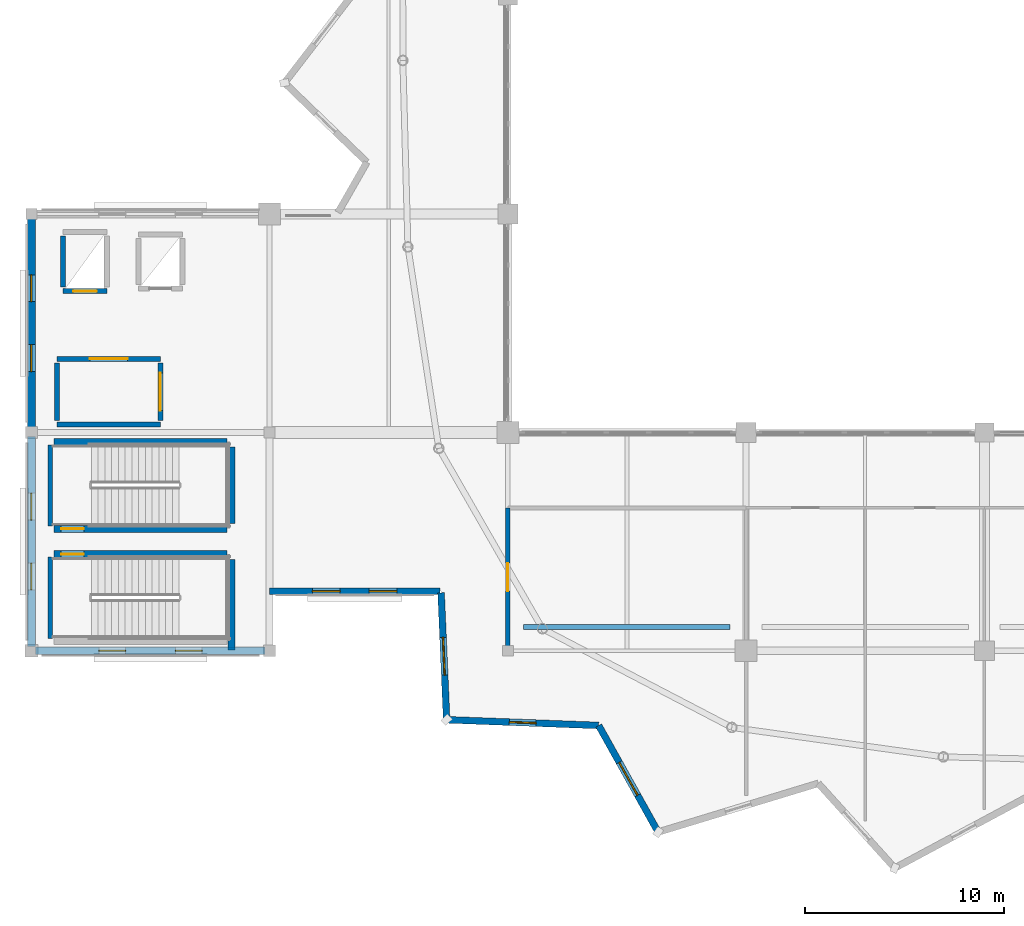
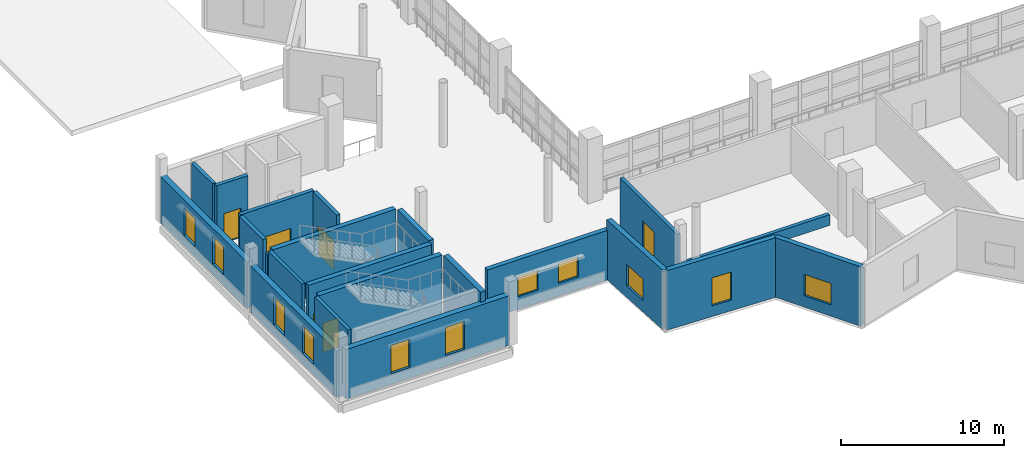
# One storey, part 35 of 53: 22 walls, 11 windows, 6 doors, 17 openings.
"""IFC4 building model written with IfcOpenShell, lengths in metres."""

from ifc_helpers import new_model, si_unit, direction, frame, frame_2d, origin, place, context, subcontext, project, spatial, rectangle, extrude, material, layer, layer_set, type_object, element, fill, save


model = new_model("IFC4")

# Units and contexts
model_context = context("Model", 3, precision=1e-05, world=origin(), true_north=direction((0.0, 1.0)))
body_context = subcontext(model_context, "Body", "Model", "MODEL_VIEW")
ifc_project = project(units=[si_unit("LENGTHUNIT", "METRE"), si_unit("AREAUNIT", "SQUARE_METRE"), si_unit("VOLUMEUNIT", "CUBIC_METRE"), si_unit("PLANEANGLEUNIT", "RADIAN"), si_unit("MASSUNIT", "GRAM", prefix="KILO")], contexts=[model_context])

# Site, building, storey
site_placement = place(None, origin())
site = spatial("IfcSite", under=ifc_project, at=site_placement, CompositionType="ELEMENT")
building_placement = place(site_placement, origin())
building = spatial("IfcBuilding", under=site, at=building_placement, Name="Luwafu Chhajja Arena", CompositionType="ELEMENT")
storey_placement = place(building_placement, frame((0.0, 0.0, 19.5)))
storey = spatial("IfcBuildingStorey", under=building, at=storey_placement, Name="L04", CompositionType="ELEMENT", Elevation=19.5)

# Wall, opening, door
ifc_material_1 = material(Name="Concrete blockwork masonry", Category="masonry")
ifc_layer_1 = layer(ifc_material_1, 0.239990234375, Name="Concrete blockwork masonry")
ifc_layer_set_1 = layer_set([ifc_layer_1], Name="Concrete blockwork masonry")
wall_type_1 = type_object("IfcWallType", Name="Compartment Masonry Partition 240", PredefinedType="PARTITIONING", material=ifc_layer_set_1)
wall_1_placement = place(storey_placement, frame((58.0, 11.219970703125, 0.0), z_axis=(0.0, 0.0, 1.0), x_axis=(0.0, 1.0, 0.0)))
wall_1 = element("IfcWall", 1, at=wall_1_placement, inside=storey, type_object=wall_type_1, Name="L04 Internal Partition 0302", PredefinedType="PARTITIONING", context=body_context, shape_type="SweptSolid", body=[
    extrude(rectangle(XDim=6.97998046875, YDim=0.239990234375, at=frame_2d((3.489990234375, 0.0))), origin(), (0.0, 0.0, 1.0), 3.7900390625),
])
opening_1_placement = place(wall_1_placement, frame((2.780029296875, 0.0, 0.0)))
opening_1 = element("IfcOpeningElement", 2, at=opening_1_placement, cuts=wall_1, Name="Opening DR-12", PredefinedType="OPENING", context=body_context, shape_type="SweptSolid", body=[
    extrude(rectangle(XDim=1.419921875, YDim=2.25, at=frame_2d((0.7099609375, 1.125))), frame((0.0, 0.1298828125, 0.0), z_axis=(0.0, -1.0, 0.0), x_axis=(1.0, 0.0, 0.0)), (0.0, 0.0, 1.0), 0.260009765625),
])
ifc_material_2 = material(Name="Powder-coated steel fire leaf", Category="steel")
door_type_1 = type_object("IfcDoorType", Name="DR-12", OperationType="NOTDEFINED", PredefinedType="DOOR", material=ifc_material_2)
door_1_placement = place(opening_1_placement, origin())
door_1 = element("IfcDoor", 3, at=door_1_placement, inside=storey, type_object=door_type_1, Name="L04 Interior Door L04-D017", OperationType="SINGLE_SWING_LEFT", OverallHeight=2.25, OverallWidth=1.419921875, PredefinedType="DOOR", context=body_context, shape_type="SweptSolid", body=[
    extrude(rectangle(XDim=1.419921875, YDim=2.25, at=frame_2d((0.7099609375, 1.125))), frame((0.0, 0.02490234375, 0.0), z_axis=(0.0, -1.0, 0.0), x_axis=(1.0, 0.0, 0.0)), (0.0, 0.0, 1.0), 0.050048828125),
])
fill(opening_1, door_1)

ifc_material_3 = material(Name="Concrete C40/50", Category="concrete")
ifc_layer_2 = layer(ifc_material_3, 0.260009765625, Name="Concrete C40/50")
ifc_layer_set_2 = layer_set([ifc_layer_2], Name="Concrete C40/50")
wall_type_2 = type_object("IfcWallType", Name="Firefighting Lobby Wall 260", PredefinedType="SOLIDWALL", material=ifc_layer_set_2)
wall_2_placement = place(storey_placement, frame((35.300048828125, 25.699951171875, 0.0), z_axis=(0.0, 0.0, 1.0), x_axis=(1.0, 0.0, 0.0)))
wall_2 = element("IfcWall", 4, at=wall_2_placement, inside=storey, type_object=wall_type_2, Name="L04 Core C1 Firefighting Lobby Wall N", PredefinedType="SOLIDWALL", context=body_context, shape_type="SweptSolid", body=[
    extrude(rectangle(XDim=5.199951171875, YDim=0.260009765625, at=frame_2d((2.60009765625, 0.0))), origin(), (0.0, 0.0, 1.0), 4.4599609375),
])
opening_2_placement = place(wall_2_placement, frame((1.64990234375, 0.0, 0.0)))
opening_2 = element("IfcOpeningElement", 5, at=opening_2_placement, cuts=wall_2, Name="Opening DR-07", PredefinedType="OPENING", context=body_context, shape_type="SweptSolid", body=[
    extrude(rectangle(XDim=1.89990234375, YDim=2.199951171875, at=frame_2d((0.949951171875, 1.10009765625))), frame((0.0, 0.139892578125, 0.0), z_axis=(0.0, -1.0, 0.0), x_axis=(1.0, 0.0, 0.0)), (0.0, 0.0, 1.0), 0.280029296875),
])
ifc_material_4 = material(Name="Fire-rated hardwood and vision panel", Category="wood")
door_type_2 = type_object("IfcDoorType", Name="DR-07", OperationType="DOUBLE_DOOR_SINGLE_SWING", PredefinedType="DOOR", material=ifc_material_4)
door_2_placement = place(opening_2_placement, origin())
door_2 = element("IfcDoor", 6, at=door_2_placement, inside=storey, type_object=door_type_2, Name="L04 Firefighting Lobby C1 Door L04-D003", OperationType="DOUBLE_DOOR_SINGLE_SWING", OverallHeight=2.199951171875, OverallWidth=1.89990234375, PredefinedType="DOOR", context=body_context, shape_type="SweptSolid", body=[
    extrude(rectangle(XDim=1.89990234375, YDim=2.199951171875, at=frame_2d((0.949951171875, 1.10009765625))), frame((0.0, 0.02490234375, 0.0), z_axis=(0.0, -1.0, 0.0), x_axis=(1.0, 0.0, 0.0)), (0.0, 0.0, 1.0), 0.050048828125),
])
fill(opening_2, door_2)

# Walls
wall_3_placement = place(storey_placement, frame((35.300048828125, 22.39990234375, 0.0), z_axis=(0.0, 0.0, 1.0), x_axis=(1.0, 0.0, 0.0)))
element("IfcWall", 7, at=wall_3_placement, inside=storey, type_object=wall_type_2, Name="L04 Core C1 Firefighting Lobby Wall S", PredefinedType="SOLIDWALL", context=body_context, shape_type="SweptSolid", body=[
    extrude(rectangle(XDim=5.199951171875, YDim=0.260009765625, at=frame_2d((2.60009765625, 0.0))), origin(), (0.0, 0.0, 1.0), 3.489990234375),
])
wall_4_placement = place(storey_placement, frame((35.300048828125, 22.60009765625, 0.0), z_axis=(0.0, 0.0, 1.0), x_axis=(0.0, 1.0, 0.0)))
element("IfcWall", 8, at=wall_4_placement, inside=storey, type_object=wall_type_2, Name="L04 Core C1 Firefighting Lobby Wall W", PredefinedType="SOLIDWALL", context=body_context, shape_type="SweptSolid", body=[
    extrude(rectangle(XDim=2.89990234375, YDim=0.260009765625, at=frame_2d((1.449951171875, 0.0))), origin(), (0.0, 0.0, 1.0), 4.4599609375),
])

# Wall, opening, door
wall_5_placement = place(storey_placement, frame((40.5, 22.60009765625, 0.0), z_axis=(0.0, 0.0, 1.0), x_axis=(0.0, 1.0, 0.0)))
wall_5 = element("IfcWall", 9, at=wall_5_placement, inside=storey, type_object=wall_type_2, Name="L04 Core C1 Firefighting Lobby Wall E", PredefinedType="SOLIDWALL", context=body_context, shape_type="SweptSolid", body=[
    extrude(rectangle(XDim=2.89990234375, YDim=0.260009765625, at=frame_2d((1.449951171875, 0.0))), origin(), (0.0, 0.0, 1.0), 4.4599609375),
])
opening_3_placement = place(wall_5_placement, frame((0.5, 0.0, 0.0)))
opening_3 = element("IfcOpeningElement", 10, at=opening_3_placement, cuts=wall_5, Name="Opening DR-07", PredefinedType="OPENING", context=body_context, shape_type="SweptSolid", body=[
    extrude(rectangle(XDim=1.89990234375, YDim=2.199951171875, at=frame_2d((0.949951171875, 1.10009765625))), frame((0.0, 0.139892578125, 0.0), z_axis=(0.0, -1.0, 0.0), x_axis=(1.0, 0.0, 0.0)), (0.0, 0.0, 1.0), 0.280029296875),
])
door_3_placement = place(opening_3_placement, origin())
door_3 = element("IfcDoor", 11, at=door_3_placement, inside=storey, type_object=door_type_2, Name="L04 Firefighting Lobby C1 Door L04-D004", OperationType="DOUBLE_DOOR_SINGLE_SWING", OverallHeight=2.199951171875, OverallWidth=1.89990234375, PredefinedType="DOOR", context=body_context, shape_type="SweptSolid", body=[
    extrude(rectangle(XDim=1.89990234375, YDim=2.199951171875, at=frame_2d((0.949951171875, 1.10009765625))), frame((0.0, 0.02490234375, 0.0), z_axis=(0.0, -1.0, 0.0), x_axis=(1.0, 0.0, 0.0)), (0.0, 0.0, 1.0), 0.050048828125),
])
fill(opening_3, door_3)

ifc_material_5 = material(Name="Concrete C35/45", Category="concrete")
ifc_layer_3 = layer(ifc_material_5, 0.260009765625, Name="Concrete C35/45")
ifc_layer_set_3 = layer_set([ifc_layer_3], Name="Concrete C35/45")
wall_type_3 = type_object("IfcWallType", Name="Lift and Riser Shaft Wall 260", PredefinedType="SOLIDWALL", material=ifc_layer_set_3)
wall_6_placement = place(storey_placement, frame((35.590087890625, 29.114990234375, 0.0), z_axis=(0.0, 0.0, 1.0), x_axis=(1.0, 0.0, 0.0)))
wall_6 = element("IfcWall", 12, at=wall_6_placement, inside=storey, type_object=wall_type_3, Name="L04 Lift LF-01 Shaft Wall S", PredefinedType="SOLIDWALL", context=body_context, shape_type="SweptSolid", body=[
    extrude(rectangle(XDim=2.219970703125, YDim=0.260009765625, at=frame_2d((1.10986328125, 0.0))), origin(), (0.0, 0.0, 1.0), 4.4599609375),
])
opening_4_placement = place(wall_6_placement, frame((0.510009765625, 0.0, 0.0)))
opening_4 = element("IfcOpeningElement", 13, at=opening_4_placement, cuts=wall_6, Name="Opening LD-02", PredefinedType="OPENING", context=body_context, shape_type="SweptSolid", body=[
    extrude(rectangle(XDim=1.199951171875, YDim=2.199951171875, at=frame_2d((0.60009765625, 1.10009765625))), frame((0.0, 0.139892578125, 0.0), z_axis=(0.0, -1.0, 0.0), x_axis=(1.0, 0.0, 0.0)), (0.0, 0.0, 1.0), 0.280029296875),
])
ifc_material_6 = material(Name="Brushed stainless steel sliding leaves", Category="steel")
door_type_3 = type_object("IfcDoorType", Name="LD-02", OperationType="SLIDING_TO_LEFT", PredefinedType="DOOR", material=ifc_material_6)
door_4_placement = place(opening_4_placement, origin())
door_4 = element("IfcDoor", 14, at=door_4_placement, inside=storey, type_object=door_type_3, Name="L04 Lift LF-01 Landing Door L04-LD01", OperationType="SLIDING_TO_LEFT", OverallHeight=2.199951171875, OverallWidth=1.199951171875, PredefinedType="DOOR", context=body_context, shape_type="SweptSolid", body=[
    extrude(rectangle(XDim=1.199951171875, YDim=2.199951171875, at=frame_2d((0.60009765625, 1.10009765625))), frame((0.0, 0.02490234375, 0.0), z_axis=(0.0, -1.0, 0.0), x_axis=(1.0, 0.0, 0.0)), (0.0, 0.0, 1.0), 0.050048828125),
])
fill(opening_4, door_4)

# Wall
wall_7_placement = place(storey_placement, frame((35.590087890625, 29.31494140625, 0.0), z_axis=(0.0, 0.0, 1.0), x_axis=(0.0, 1.0, 0.0)))
element("IfcWall", 15, at=wall_7_placement, inside=storey, type_object=wall_type_3, Name="L04 Lift LF-01 Shaft Wall W", PredefinedType="SOLIDWALL", context=body_context, shape_type="SweptSolid", body=[
    extrude(rectangle(XDim=2.570068359375, YDim=0.260009765625, at=frame_2d((1.28515625, 0.0))), origin(), (0.0, 0.0, 1.0), 4.4599609375),
])

# Wall, opening, window
ifc_material_7 = material(Name="Precast concrete C40/50", Category="concrete")
ifc_layer_4 = layer(ifc_material_7, 0.340087890625, Name="Precast concrete C40/50")
ifc_layer_set_4 = layer_set([ifc_layer_4], Name="Precast concrete C40/50")
wall_type_4 = type_object("IfcWallType", Name="Pleated Bowl V-Fold Wall 340", PredefinedType="USERDEFINED", material=ifc_layer_set_4)
wall_8_placement = place(storey_placement, frame((54.637451171875, 13.919921875, 0.0), z_axis=(0.0, 0.0, 1.0), x_axis=(0.043587819379, -0.99904959937, 0.0)))
wall_8 = element("IfcWall", 16, at=wall_8_placement, inside=storey, type_object=wall_type_4, Name="L04 Pleated Bowl V-Fold Wall 40", ObjectType="PLEATED FACADE WALL", PredefinedType="USERDEFINED", context=body_context, shape_type="SweptSolid", body=[
    extrude(rectangle(XDim=6.402099609375, YDim=0.340087890625, at=frame_2d((3.201171875, 0.0))), origin(), (0.0, 0.0, 1.0), 4.455078125),
])
opening_5_placement = place(wall_8_placement, frame((2.2509765625, 0.0, 0.85009765625)))
opening_5 = element("IfcOpeningElement", 17, at=opening_5_placement, cuts=wall_8, Name="Opening WN-15", PredefinedType="OPENING", context=body_context, shape_type="SweptSolid", body=[
    extrude(rectangle(XDim=1.89990234375, YDim=1.60009765625, at=frame_2d((0.949951171875, 0.800048828125))), frame((0.0, 0.179931640625, 0.0), z_axis=(0.0, -1.0, 0.0), x_axis=(1.0, 0.0, 0.0)), (0.0, 0.0, 1.0), 0.360107421875),
])
ifc_material_8 = material(Name="Solar-control laminated glass", Category="glass")
window_type_1 = type_object("IfcWindowType", Name="Pleated Drum Inward-Fold Clerestory 1900x1600", PartitioningType="SINGLE_PANEL", PredefinedType="WINDOW", material=ifc_material_8)
window_1_placement = place(opening_5_placement, origin())
window_1 = element("IfcWindow", 18, at=window_1_placement, inside=storey, type_object=window_type_1, Name="L04 Pleated Bowl Lancet Window 109", OverallHeight=1.60009765625, OverallWidth=1.89990234375, PartitioningType="SINGLE_PANEL", PredefinedType="WINDOW", context=body_context, shape_type="SweptSolid", body=[
    extrude(rectangle(XDim=1.89990234375, YDim=1.60009765625, at=frame_2d((0.949951171875, 0.800048828125))), frame((0.0, 0.030029296875, 0.0), z_axis=(0.0, -1.0, 0.0), x_axis=(1.0, 0.0, 0.0)), (0.0, 0.0, 1.0), 0.06005859375),
])
fill(opening_5, window_1)

wall_9_placement = place(storey_placement, frame((54.91650390625, 7.52392578125, 0.0), z_axis=(0.0, 0.0, 1.0), x_axis=(0.999297884119, -0.037466502319, 0.0)))
wall_9 = element("IfcWall", 19, at=wall_9_placement, inside=storey, type_object=wall_type_4, Name="L04 Pleated Bowl V-Fold Wall 41", ObjectType="PLEATED FACADE WALL", PredefinedType="USERDEFINED", context=body_context, shape_type="SweptSolid", body=[
    extrude(rectangle(XDim=7.6630859375, YDim=0.340087890625, at=frame_2d((3.83154296875, 0.0))), origin(), (0.0, 0.0, 1.0), 4.455078125),
])
opening_6_placement = place(wall_9_placement, frame((3.156494140625, 0.0, 0.800048828125)))
opening_6 = element("IfcOpeningElement", 20, at=opening_6_placement, cuts=wall_9, Name="Opening WN-17", PredefinedType="OPENING", context=body_context, shape_type="SweptSolid", body=[
    extrude(rectangle(XDim=1.35009765625, YDim=2.10009765625, at=frame_2d((0.675048828125, 1.050048828125))), frame((0.0, 0.179931640625, 0.0), z_axis=(0.0, -1.0, 0.0), x_axis=(1.0, 0.0, 0.0)), (0.0, 0.0, 1.0), 0.360107421875),
])
window_type_2 = type_object("IfcWindowType", Name="Exhibition Mezzanine Lancet Window 1350x2100", PartitioningType="SINGLE_PANEL", PredefinedType="WINDOW", material=ifc_material_8)
window_2_placement = place(opening_6_placement, origin())
window_2 = element("IfcWindow", 21, at=window_2_placement, inside=storey, type_object=window_type_2, Name="L04 Pleated Bowl Lancet Window 110", OverallHeight=2.10009765625, OverallWidth=1.35009765625, PartitioningType="SINGLE_PANEL", PredefinedType="WINDOW", context=body_context, shape_type="SweptSolid", body=[
    extrude(rectangle(XDim=1.35009765625, YDim=2.10009765625, at=frame_2d((0.675048828125, 1.050048828125))), frame((0.0, 0.030029296875, 0.0), z_axis=(0.0, -1.0, 0.0), x_axis=(1.0, 0.0, 0.0)), (0.0, 0.0, 1.0), 0.06005859375),
])
fill(opening_6, window_2)

wall_10_placement = place(storey_placement, frame((62.57421875, 7.23681640625, 0.0), z_axis=(0.0, 0.0, 1.0), x_axis=(0.487306352228, -0.87323108, 0.0)))
wall_10 = element("IfcWall", 22, at=wall_10_placement, inside=storey, type_object=wall_type_4, Name="L04 Pleated Bowl V-Fold Wall 42", ObjectType="PLEATED FACADE WALL", PredefinedType="USERDEFINED", context=body_context, shape_type="SweptSolid", body=[
    extrude(rectangle(XDim=6.15283203125, YDim=0.340087890625, at=frame_2d((3.076416015625, 0.0))), origin(), (0.0, 0.0, 1.0), 4.455078125),
])
opening_7_placement = place(wall_10_placement, frame((2.12646484375, 0.0, 0.85009765625)))
opening_7 = element("IfcOpeningElement", 23, at=opening_7_placement, cuts=wall_10, Name="Opening WN-15", PredefinedType="OPENING", context=body_context, shape_type="SweptSolid", body=[
    extrude(rectangle(XDim=1.89990234375, YDim=1.60009765625, at=frame_2d((0.949951171875, 0.800048828125))), frame((0.0, 0.179931640625, 0.0), z_axis=(0.0, -1.0, 0.0), x_axis=(1.0, 0.0, 0.0)), (0.0, 0.0, 1.0), 0.360107421875),
])
window_3_placement = place(opening_7_placement, origin())
window_3 = element("IfcWindow", 24, at=window_3_placement, inside=storey, type_object=window_type_1, Name="L04 Pleated Bowl Lancet Window 111", OverallHeight=1.60009765625, OverallWidth=1.89990234375, PartitioningType="SINGLE_PANEL", PredefinedType="WINDOW", context=body_context, shape_type="SweptSolid", body=[
    extrude(rectangle(XDim=1.89990234375, YDim=1.60009765625, at=frame_2d((0.949951171875, 0.800048828125))), frame((0.0, 0.030029296875, 0.0), z_axis=(0.0, -1.0, 0.0), x_axis=(1.0, 0.0, 0.0)), (0.0, 0.0, 1.0), 0.06005859375),
])
fill(opening_7, window_3)

# Wall
ifc_layer_5 = layer(ifc_material_3, 0.35009765625, Name="Concrete C40/50")
ifc_layer_set_5 = layer_set([ifc_layer_5], Name="Concrete C40/50")
wall_type_5 = type_object("IfcWallType", Name="RC Core Shear Wall 350", PredefinedType="SOLIDWALL", material=ifc_layer_set_5)
wall_11_placement = place(storey_placement, frame((44.072021484375, 11.050048828125, 0.0), z_axis=(0.0, 0.0, 1.0), x_axis=(0.0, 1.0, 0.0)))
element("IfcWall", 25, at=wall_11_placement, inside=storey, type_object=wall_type_5, Name="L04 Stair ST-01 Core Shear Wall E", PredefinedType="SOLIDWALL", context=body_context, shape_type="SweptSolid", body=[
    extrude(rectangle(XDim=4.5400390625, YDim=0.35009765625, at=frame_2d((2.27001953125, 0.0))), origin(), (0.0, 0.0, 1.0), 4.4599609375),
])

# Wall, opening, door
wall_12_placement = place(storey_placement, frame((35.14990234375, 15.862060546875, 0.0), z_axis=(0.0, 0.0, 1.0), x_axis=(1.0, 0.0, 0.0)))
wall_12 = element("IfcWall", 26, at=wall_12_placement, inside=storey, type_object=wall_type_5, Name="L04 Stair ST-01 Core Shear Wall N", PredefinedType="SOLIDWALL", context=body_context, shape_type="SweptSolid", body=[
    extrude(rectangle(XDim=8.7001953125, YDim=0.35009765625, at=frame_2d((4.35009765625, 0.0))), origin(), (0.0, 0.0, 1.0), 4.4599609375),
])
opening_8_placement = place(wall_12_placement, frame((0.35009765625, 0.0, 0.0)))
opening_8 = element("IfcOpeningElement", 27, at=opening_8_placement, cuts=wall_12, Name="Opening DR-06", PredefinedType="OPENING", context=body_context, shape_type="SweptSolid", body=[
    extrude(rectangle(XDim=1.14990234375, YDim=2.199951171875, at=frame_2d((0.574951171875, 1.10009765625))), frame((0.0, 0.18505859375, 0.0), z_axis=(0.0, -1.0, 0.0), x_axis=(1.0, 0.0, 0.0)), (0.0, 0.0, 1.0), 0.3701171875),
])
ifc_material_9 = material(Name="Fire-rated hardwood and steel core", Category="steel")
door_type_4 = type_object("IfcDoorType", Name="DR-06", OperationType="NOTDEFINED", PredefinedType="DOOR", material=ifc_material_9)
door_5_placement = place(opening_8_placement, origin())
door_5 = element("IfcDoor", 28, at=door_5_placement, inside=storey, type_object=door_type_4, Name="L04 Escape Stair ST-01 Fire Door L04-D001", OperationType="SINGLE_SWING_RIGHT", OverallHeight=2.199951171875, OverallWidth=1.14990234375, PredefinedType="DOOR", context=body_context, shape_type="SweptSolid", body=[
    extrude(rectangle(XDim=1.14990234375, YDim=2.199951171875, at=frame_2d((0.574951171875, 1.10009765625))), frame((0.0, 0.02490234375, 0.0), z_axis=(0.0, -1.0, 0.0), x_axis=(1.0, 0.0, 0.0)), (0.0, 0.0, 1.0), 0.050048828125),
])
fill(opening_8, door_5)

# Wall
wall_13_placement = place(storey_placement, frame((44.072021484375, 17.409912109375, 0.0), z_axis=(0.0, 0.0, 1.0), x_axis=(0.0, 1.0, 0.0)))
element("IfcWall", 29, at=wall_13_placement, inside=storey, type_object=wall_type_5, Name="L04 Stair ST-02 Core Shear Wall E", PredefinedType="SOLIDWALL", context=body_context, shape_type="SweptSolid", body=[
    extrude(rectangle(XDim=3.840087890625, YDim=0.35009765625, at=frame_2d((1.919921875, 0.0))), origin(), (0.0, 0.0, 1.0), 4.4599609375),
])

# Wall, opening, door
wall_14_placement = place(storey_placement, frame((35.14990234375, 17.137939453125, 0.0), z_axis=(0.0, 0.0, 1.0), x_axis=(1.0, 0.0, 0.0)))
wall_14 = element("IfcWall", 30, at=wall_14_placement, inside=storey, type_object=wall_type_5, Name="L04 Stair ST-02 Core Shear Wall S", PredefinedType="SOLIDWALL", context=body_context, shape_type="SweptSolid", body=[
    extrude(rectangle(XDim=8.7001953125, YDim=0.35009765625, at=frame_2d((4.35009765625, 0.0))), origin(), (0.0, 0.0, 1.0), 4.4599609375),
])
opening_9_placement = place(wall_14_placement, frame((0.35009765625, 0.0, 0.0)))
opening_9 = element("IfcOpeningElement", 31, at=opening_9_placement, cuts=wall_14, Name="Opening DR-06", PredefinedType="OPENING", context=body_context, shape_type="SweptSolid", body=[
    extrude(rectangle(XDim=1.14990234375, YDim=2.199951171875, at=frame_2d((0.574951171875, 1.10009765625))), frame((0.0, 0.18505859375, 0.0), z_axis=(0.0, -1.0, 0.0), x_axis=(1.0, 0.0, 0.0)), (0.0, 0.0, 1.0), 0.3701171875),
])
door_6_placement = place(opening_9_placement, origin())
door_6 = element("IfcDoor", 32, at=door_6_placement, inside=storey, type_object=door_type_4, Name="L04 Escape Stair ST-02 Fire Door L04-D002", OperationType="SINGLE_SWING_LEFT", OverallHeight=2.199951171875, OverallWidth=1.14990234375, PredefinedType="DOOR", context=body_context, shape_type="SweptSolid", body=[
    extrude(rectangle(XDim=1.14990234375, YDim=2.199951171875, at=frame_2d((0.574951171875, 1.10009765625))), frame((0.0, 0.02490234375, 0.0), z_axis=(0.0, -1.0, 0.0), x_axis=(1.0, 0.0, 0.0)), (0.0, 0.0, 1.0), 0.050048828125),
])
fill(opening_9, door_6)

# Wall
wall_15_placement = place(storey_placement, frame((35.14990234375, 21.52197265625, 0.0), z_axis=(0.0, 0.0, 1.0), x_axis=(1.0, 0.0, 0.0)))
element("IfcWall", 33, at=wall_15_placement, inside=storey, type_object=wall_type_5, Name="L04 Stair ST-02 Core Shear Wall N", PredefinedType="SOLIDWALL", context=body_context, shape_type="SweptSolid", body=[
    extrude(rectangle(XDim=8.7001953125, YDim=0.35009765625, at=frame_2d((4.35009765625, 0.0))), origin(), (0.0, 0.0, 1.0), 4.4599609375),
])

# Wall, openings, windows
ifc_layer_6 = layer(ifc_material_3, 0.39990234375, Name="Concrete C40/50")
ifc_layer_set_6 = layer_set([ifc_layer_6], Name="Concrete C40/50")
wall_type_6 = type_object("IfcWallType", Name="RC Core Shear Wall 400", PredefinedType="SOLIDWALL", material=ifc_layer_set_6)
wall_16_placement = place(storey_placement, frame((34.219970703125, 11.0, 0.0), z_axis=(0.0, 0.0, 1.0), x_axis=(1.0, 0.0, 0.0)))
wall_16 = element("IfcWall", 34, at=wall_16_placement, inside=storey, type_object=wall_type_6, Name="L04 Exterior Wall WEX-L04-210", PredefinedType="SOLIDWALL", context=body_context, shape_type="SweptSolid", body=[
    extrude(rectangle(XDim=11.56005859375, YDim=0.39990234375, at=frame_2d((5.780029296875, 0.0))), origin(), (0.0, 0.0, 1.0), 3.70654296875),
])
opening_10_placement = place(wall_16_placement, frame((3.17822265625, 0.0, 0.800048828125)))
opening_10 = element("IfcOpeningElement", 35, at=opening_10_placement, cuts=wall_16, Name="Opening WN-17", PredefinedType="OPENING", context=body_context, shape_type="SweptSolid", body=[
    extrude(rectangle(XDim=1.35009765625, YDim=2.10009765625, at=frame_2d((0.675048828125, 1.050048828125))), frame((0.0, 0.2099609375, 0.0), z_axis=(0.0, -1.0, 0.0), x_axis=(1.0, 0.0, 0.0)), (0.0, 0.0, 1.0), 0.419921875),
])
opening_11_placement = place(wall_16_placement, frame((7.03173828125, 0.0, 0.800048828125)))
opening_11 = element("IfcOpeningElement", 36, at=opening_11_placement, cuts=wall_16, Name="Opening WN-17", PredefinedType="OPENING", context=body_context, shape_type="SweptSolid", body=[
    extrude(rectangle(XDim=1.35009765625, YDim=2.10009765625, at=frame_2d((0.675048828125, 1.050048828125))), frame((0.0, 0.2099609375, 0.0), z_axis=(0.0, -1.0, 0.0), x_axis=(1.0, 0.0, 0.0)), (0.0, 0.0, 1.0), 0.419921875),
])
window_4_placement = place(opening_10_placement, origin())
window_4 = element("IfcWindow", 37, at=window_4_placement, inside=storey, type_object=window_type_2, Name="L04 Facade Window 166", OverallHeight=2.10009765625, OverallWidth=1.35009765625, PartitioningType="SINGLE_PANEL", PredefinedType="WINDOW", context=body_context, shape_type="SweptSolid", body=[
    extrude(rectangle(XDim=1.35009765625, YDim=2.10009765625, at=frame_2d((0.675048828125, 1.050048828125))), frame((0.0, 0.030029296875, 0.0), z_axis=(0.0, -1.0, 0.0), x_axis=(1.0, 0.0, 0.0)), (0.0, 0.0, 1.0), 0.06005859375),
])
fill(opening_10, window_4)
window_5_placement = place(opening_11_placement, origin())
window_5 = element("IfcWindow", 38, at=window_5_placement, inside=storey, type_object=window_type_2, Name="L04 Facade Window 167", OverallHeight=2.10009765625, OverallWidth=1.35009765625, PartitioningType="SINGLE_PANEL", PredefinedType="WINDOW", context=body_context, shape_type="SweptSolid", body=[
    extrude(rectangle(XDim=1.35009765625, YDim=2.10009765625, at=frame_2d((0.675048828125, 1.050048828125))), frame((0.0, 0.030029296875, 0.0), z_axis=(0.0, -1.0, 0.0), x_axis=(1.0, 0.0, 0.0)), (0.0, 0.0, 1.0), 0.06005859375),
])
fill(opening_11, window_5)

wall_17_placement = place(storey_placement, frame((34.0, 11.219970703125, 0.0), z_axis=(0.0, 0.0, 1.0), x_axis=(0.0, 1.0, 0.0)))
wall_17 = element("IfcWall", 39, at=wall_17_placement, inside=storey, type_object=wall_type_6, Name="L04 Exterior Wall WEX-L04-211", PredefinedType="SOLIDWALL", context=body_context, shape_type="SweptSolid", body=[
    extrude(rectangle(XDim=10.56005859375, YDim=0.39990234375, at=frame_2d((5.280029296875, 0.0))), origin(), (0.0, 0.0, 1.0), 3.489990234375),
])
opening_12_placement = place(wall_17_placement, frame((2.844970703125, 0.0, 0.800048828125)))
opening_12 = element("IfcOpeningElement", 40, at=opening_12_placement, cuts=wall_17, Name="Opening WN-17", PredefinedType="OPENING", context=body_context, shape_type="SweptSolid", body=[
    extrude(rectangle(XDim=1.35009765625, YDim=2.10009765625, at=frame_2d((0.675048828125, 1.050048828125))), frame((0.0, 0.2099609375, 0.0), z_axis=(0.0, -1.0, 0.0), x_axis=(1.0, 0.0, 0.0)), (0.0, 0.0, 1.0), 0.419921875),
])
opening_13_placement = place(wall_17_placement, frame((6.364990234375, 0.0, 0.800048828125)))
opening_13 = element("IfcOpeningElement", 41, at=opening_13_placement, cuts=wall_17, Name="Opening WN-17", PredefinedType="OPENING", context=body_context, shape_type="SweptSolid", body=[
    extrude(rectangle(XDim=1.35009765625, YDim=2.10009765625, at=frame_2d((0.675048828125, 1.050048828125))), frame((0.0, 0.2099609375, 0.0), z_axis=(0.0, -1.0, 0.0), x_axis=(1.0, 0.0, 0.0)), (0.0, 0.0, 1.0), 0.419921875),
])
window_6_placement = place(opening_12_placement, origin())
window_6 = element("IfcWindow", 42, at=window_6_placement, inside=storey, type_object=window_type_2, Name="L04 Facade Window 168", OverallHeight=2.10009765625, OverallWidth=1.35009765625, PartitioningType="SINGLE_PANEL", PredefinedType="WINDOW", context=body_context, shape_type="SweptSolid", body=[
    extrude(rectangle(XDim=1.35009765625, YDim=2.10009765625, at=frame_2d((0.675048828125, 1.050048828125))), frame((0.0, 0.030029296875, 0.0), z_axis=(0.0, -1.0, 0.0), x_axis=(1.0, 0.0, 0.0)), (0.0, 0.0, 1.0), 0.06005859375),
])
fill(opening_12, window_6)
window_7_placement = place(opening_13_placement, origin())
window_7 = element("IfcWindow", 43, at=window_7_placement, inside=storey, type_object=window_type_2, Name="L04 Facade Window 169", OverallHeight=2.10009765625, OverallWidth=1.35009765625, PartitioningType="SINGLE_PANEL", PredefinedType="WINDOW", context=body_context, shape_type="SweptSolid", body=[
    extrude(rectangle(XDim=1.35009765625, YDim=2.10009765625, at=frame_2d((0.675048828125, 1.050048828125))), frame((0.0, 0.030029296875, 0.0), z_axis=(0.0, -1.0, 0.0), x_axis=(1.0, 0.0, 0.0)), (0.0, 0.0, 1.0), 0.06005859375),
])
fill(opening_13, window_7)

wall_18_placement = place(storey_placement, frame((34.0, 22.219970703125, 0.0), z_axis=(0.0, 0.0, 1.0), x_axis=(0.0, 1.0, 0.0)))
wall_18 = element("IfcWall", 44, at=wall_18_placement, inside=storey, type_object=wall_type_6, Name="L04 Exterior Wall WEX-L04-213", PredefinedType="SOLIDWALL", context=body_context, shape_type="SweptSolid", body=[
    extrude(rectangle(XDim=10.56005859375, YDim=0.39990234375, at=frame_2d((5.280029296875, 0.0))), origin(), (0.0, 0.0, 1.0), 3.489990234375),
])
opening_14_placement = place(wall_18_placement, frame((2.844970703125, 0.0, 0.800048828125)))
opening_14 = element("IfcOpeningElement", 45, at=opening_14_placement, cuts=wall_18, Name="Opening WN-17", PredefinedType="OPENING", context=body_context, shape_type="SweptSolid", body=[
    extrude(rectangle(XDim=1.35009765625, YDim=2.10009765625, at=frame_2d((0.675048828125, 1.050048828125))), frame((0.0, 0.2099609375, 0.0), z_axis=(0.0, -1.0, 0.0), x_axis=(1.0, 0.0, 0.0)), (0.0, 0.0, 1.0), 0.419921875),
])
opening_15_placement = place(wall_18_placement, frame((6.364990234375, 0.0, 0.800048828125)))
opening_15 = element("IfcOpeningElement", 46, at=opening_15_placement, cuts=wall_18, Name="Opening WN-17", PredefinedType="OPENING", context=body_context, shape_type="SweptSolid", body=[
    extrude(rectangle(XDim=1.35009765625, YDim=2.10009765625, at=frame_2d((0.675048828125, 1.050048828125))), frame((0.0, 0.2099609375, 0.0), z_axis=(0.0, -1.0, 0.0), x_axis=(1.0, 0.0, 0.0)), (0.0, 0.0, 1.0), 0.419921875),
])
window_8_placement = place(opening_14_placement, origin())
window_8 = element("IfcWindow", 47, at=window_8_placement, inside=storey, type_object=window_type_2, Name="L04 Facade Window 172", OverallHeight=2.10009765625, OverallWidth=1.35009765625, PartitioningType="SINGLE_PANEL", PredefinedType="WINDOW", context=body_context, shape_type="SweptSolid", body=[
    extrude(rectangle(XDim=1.35009765625, YDim=2.10009765625, at=frame_2d((0.675048828125, 1.050048828125))), frame((0.0, 0.030029296875, 0.0), z_axis=(0.0, -1.0, 0.0), x_axis=(1.0, 0.0, 0.0)), (0.0, 0.0, 1.0), 0.06005859375),
])
fill(opening_14, window_8)
window_9_placement = place(opening_15_placement, origin())
window_9 = element("IfcWindow", 48, at=window_9_placement, inside=storey, type_object=window_type_2, Name="L04 Facade Window 173", OverallHeight=2.10009765625, OverallWidth=1.35009765625, PartitioningType="SINGLE_PANEL", PredefinedType="WINDOW", context=body_context, shape_type="SweptSolid", body=[
    extrude(rectangle(XDim=1.35009765625, YDim=2.10009765625, at=frame_2d((0.675048828125, 1.050048828125))), frame((0.0, 0.030029296875, 0.0), z_axis=(0.0, -1.0, 0.0), x_axis=(1.0, 0.0, 0.0)), (0.0, 0.0, 1.0), 0.06005859375),
])
fill(opening_15, window_9)

ifc_layer_7 = layer(ifc_material_5, 0.320068359375, Name="Concrete C35/45")
ifc_layer_set_7 = layer_set([ifc_layer_7], Name="Concrete C35/45")
wall_type_7 = type_object("IfcWallType", Name="Sandstone Backed Exterior Wall 320", PredefinedType="SOLIDWALL", material=ifc_layer_set_7)
wall_19_placement = place(storey_placement, frame((46.0, 14.0, 0.0), z_axis=(0.0, 0.0, 1.0), x_axis=(1.0, 0.0, 0.0)))
wall_19 = element("IfcWall", 49, at=wall_19_placement, inside=storey, type_object=wall_type_7, Name="L04 Exterior Wall WEX-L04-218", PredefinedType="SOLIDWALL", context=body_context, shape_type="SweptSolid", body=[
    extrude(rectangle(XDim=8.573974609375, YDim=0.320068359375, at=frame_2d((4.287109375, 0.0))), origin(), (0.0, 0.0, 1.0), 3.70654296875),
])
opening_16_placement = place(wall_19_placement, frame((2.157958984375, 0.0, 0.949951171875)))
opening_16 = element("IfcOpeningElement", 50, at=opening_16_placement, cuts=wall_19, Name="Opening WN-14", PredefinedType="OPENING", context=body_context, shape_type="SweptSolid", body=[
    extrude(rectangle(XDim=1.39990234375, YDim=1.5, at=frame_2d((0.699951171875, 0.75))), frame((0.0, 0.169921875, 0.0), z_axis=(0.0, -1.0, 0.0), x_axis=(1.0, 0.0, 0.0)), (0.0, 0.0, 1.0), 0.340087890625),
])
opening_17_placement = place(wall_19_placement, frame((5.01611328125, 0.0, 0.949951171875)))
opening_17 = element("IfcOpeningElement", 51, at=opening_17_placement, cuts=wall_19, Name="Opening WN-14", PredefinedType="OPENING", context=body_context, shape_type="SweptSolid", body=[
    extrude(rectangle(XDim=1.39990234375, YDim=1.5, at=frame_2d((0.699951171875, 0.75))), frame((0.0, 0.169921875, 0.0), z_axis=(0.0, -1.0, 0.0), x_axis=(1.0, 0.0, 0.0)), (0.0, 0.0, 1.0), 0.340087890625),
])
window_type_3 = type_object("IfcWindowType", Name="Sports Medicine Clinic Frosted Window 1400x1500", PartitioningType="SINGLE_PANEL", PredefinedType="WINDOW", material=ifc_material_8)
window_10_placement = place(opening_16_placement, origin())
window_10 = element("IfcWindow", 52, at=window_10_placement, inside=storey, type_object=window_type_3, Name="L04 Facade Window 182", OverallHeight=1.5, OverallWidth=1.39990234375, PartitioningType="SINGLE_PANEL", PredefinedType="WINDOW", context=body_context, shape_type="SweptSolid", body=[
    extrude(rectangle(XDim=1.39990234375, YDim=1.5, at=frame_2d((0.699951171875, 0.75))), frame((0.0, 0.030029296875, 0.0), z_axis=(0.0, -1.0, 0.0), x_axis=(1.0, 0.0, 0.0)), (0.0, 0.0, 1.0), 0.06005859375),
])
fill(opening_16, window_10)
window_11_placement = place(opening_17_placement, origin())
window_11 = element("IfcWindow", 53, at=window_11_placement, inside=storey, type_object=window_type_3, Name="L04 Facade Window 183", OverallHeight=1.5, OverallWidth=1.39990234375, PartitioningType="SINGLE_PANEL", PredefinedType="WINDOW", context=body_context, shape_type="SweptSolid", body=[
    extrude(rectangle(XDim=1.39990234375, YDim=1.5, at=frame_2d((0.699951171875, 0.75))), frame((0.0, 0.030029296875, 0.0), z_axis=(0.0, -1.0, 0.0), x_axis=(1.0, 0.0, 0.0)), (0.0, 0.0, 1.0), 0.06005859375),
])
fill(opening_17, window_11)

# Walls
ifc_layer_8 = layer(ifc_material_7, 0.25, Name="Precast concrete C40/50")
ifc_layer_set_8 = layer_set([ifc_layer_8], Name="Precast concrete C40/50")
wall_type_8 = type_object("IfcWallType", Name="Sandstone Coped Roof Parapet 250", PredefinedType="PARAPET", material=ifc_layer_set_8)
wall_20_placement = place(storey_placement, frame((58.800048828125, 12.199951171875, 0.0), z_axis=(0.0, 0.0, 1.0), x_axis=(1.0, 0.0, 0.0)))
element("IfcWall", 54, at=wall_20_placement, inside=storey, type_object=wall_type_8, Name="L04 Bowl South Gallery Upstand 1", PredefinedType="PARAPET", context=body_context, shape_type="SweptSolid", body=[
    extrude(rectangle(XDim=10.39990234375, YDim=0.25, at=frame_2d((5.199951171875, 0.0))), origin(), (0.0, 0.0, 1.0), 0.800048828125),
])
ifc_layer_9 = layer(ifc_material_5, 0.22998046875, Name="Concrete C35/45")
ifc_layer_set_9 = layer_set([ifc_layer_9], Name="Concrete C35/45")
wall_type_9 = type_object("IfcWallType", Name="Stair Enclosure Wall 230", PredefinedType="SOLIDWALL", material=ifc_layer_set_9)
for number, where, z_axis, x_axis, name in (
    (55, (34.9599609375, 11.6298828125, 0.0), (0.0, 0.0, 1.0), (0.0, 1.0, 0.0), "L04 Stair ST-01 Enclosure Wall W"),
    (56, (34.9599609375, 17.2900390625, 0.0), (0.0, 0.0, 1.0), (0.0, 1.0, 0.0), "L04 Stair ST-02 Enclosure Wall W"),
):
    element("IfcWall", number, at=place(storey_placement, frame(where, z_axis=z_axis, x_axis=x_axis)), inside=storey, type_object=wall_type_9, Name=name, PredefinedType="SOLIDWALL", context=body_context, shape_type="SweptSolid", body=[
        extrude(rectangle(XDim=4.080078125, YDim=0.22998046875, at=frame_2d((2.0400390625, 0.0))), origin(), (0.0, 0.0, 1.0), 4.4599609375),
    ])

save(model, "model.ifc")
